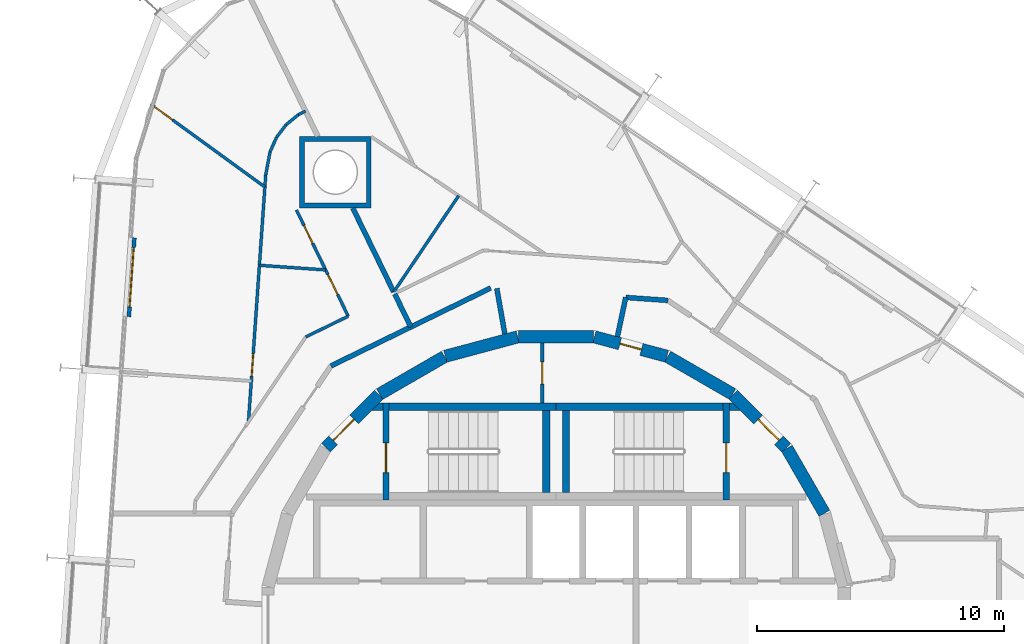
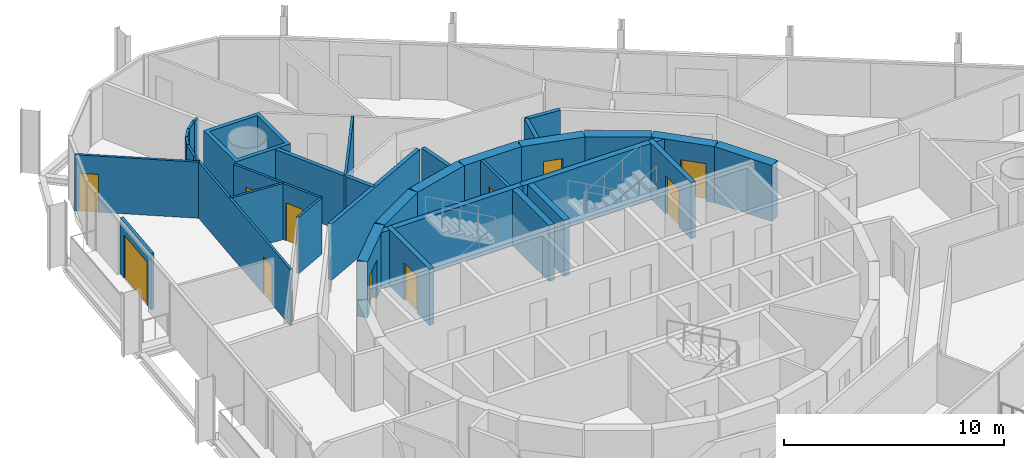
# One storey, part 15 of 17: 36 walls, 11 doors, 11 openings.
"""IFC4 building model written with IfcOpenShell, lengths in metres."""

from ifc_helpers import new_model, si_unit, direction, frame, frame_2d, origin, place, context, subcontext, project, spatial, polyline, rectangle, outline, extrude, material, layer, layer_set, type_object, element, fill, save


model = new_model("IFC4")

# Units and contexts
model_context = context("Model", 3, precision=1e-05, world=origin(), true_north=direction((0.0, 1.0)))
body_context = subcontext(model_context, "Body", "Model", "MODEL_VIEW")
ifc_project = project(units=[si_unit("LENGTHUNIT", "METRE"), si_unit("AREAUNIT", "SQUARE_METRE"), si_unit("VOLUMEUNIT", "CUBIC_METRE"), si_unit("PLANEANGLEUNIT", "RADIAN"), si_unit("MASSUNIT", "GRAM", prefix="KILO")], contexts=[model_context])

# Site, building, storey
site_placement = place(None, origin())
site = spatial("IfcSite", under=ifc_project, at=site_placement, CompositionType="ELEMENT")
building_placement = place(site_placement, origin())
building = spatial("IfcBuilding", under=site, at=building_placement, Name="Spindle Arch Residences", CompositionType="ELEMENT")
storey_placement = place(building_placement, frame((0.0, 0.0, 209.39990234375)))
storey = spatial("IfcBuildingStorey", under=building, at=storey_placement, Name="L53", CompositionType="ELEMENT", Elevation=209.39990234375)

# Wall
ifc_material_1 = material(Name="Concrete C50/60", Category="concrete")
ifc_layer_1 = layer(ifc_material_1, 0.5)
ifc_layer_set_1 = layer_set([ifc_layer_1], Name="Core outline wall 500")
wall_type_1 = type_object("IfcWallType", Name="Core outline wall 500", PredefinedType="SHEAR", material=ifc_layer_set_1)
wall_1_placement = place(storey_placement, frame((10.84521484375, 4.510498046875, 0.0), z_axis=(0.0, 0.0, 1.0), x_axis=(-0.500087131594, 0.865975092491, 0.0)))
element("IfcWall", 1, at=wall_1_placement, inside=storey, type_object=wall_type_1, Name="Core outline wall 8", PredefinedType="SHEAR", context=body_context, shape_type="SweptSolid", body=[
    extrude(rectangle(XDim=3.03271484375, YDim=0.5, at=frame_2d((1.516357421875, 0.0))), origin(), (0.0, 0.0, 1.0), 3.1201171875),
])

# Wall, opening, door
wall_2_placement = place(storey_placement, frame((9.30810546875, 7.163818359375, 0.0), z_axis=(0.0, 0.0, 1.0), x_axis=(-0.707106781187, 0.707106781187, 0.0)))
wall_2 = element("IfcWall", 2, at=wall_2_placement, inside=storey, type_object=wall_type_1, Name="Core outline wall 9", PredefinedType="SHEAR", context=body_context, shape_type="SweptSolid", body=[
    extrude(rectangle(XDim=3.032470703125, YDim=0.5, at=frame_2d((1.51611328125, 0.0))), origin(), (0.0, 0.0, 1.0), 3.1201171875),
])
opening_1_placement = place(wall_2_placement, frame((0.416259765625, 0.0, 0.0)))
opening_1 = element("IfcOpeningElement", 3, at=opening_1_placement, cuts=wall_2, Name="Opening R5C0-AD01", PredefinedType="OPENING", context=body_context, shape_type="SweptSolid", body=[
    extrude(rectangle(XDim=1.199951171875, YDim=2.10009765625, at=frame_2d((0.60009765625, 1.050048828125))), frame((0.0, 0.260009765625, 0.0), z_axis=(0.0, -1.0, 0.0), x_axis=(1.0, 0.0, 0.0)), (0.0, 0.0, 1.0), 0.52001953125),
])
ifc_material_2 = material(Name="Steel, fire-resisting door", Category="steel")
door_type_1 = type_object("IfcDoorType", Name="Stair airlock door 1200x2100", OperationType="SINGLE_SWING_LEFT", PredefinedType="DOOR", material=ifc_material_2)
door_1_placement = place(opening_1_placement, origin())
door_1 = element("IfcDoor", 4, at=door_1_placement, inside=storey, type_object=door_type_1, Name="Stair airlock door R5C0-AD01", OperationType="SINGLE_SWING_RIGHT", OverallHeight=2.10009765625, OverallWidth=1.199951171875, PredefinedType="DOOR", context=body_context, shape_type="SweptSolid", body=[
    extrude(rectangle(XDim=1.199951171875, YDim=2.10009765625, at=frame_2d((0.60009765625, 1.050048828125))), frame((0.0, 0.02490234375, 0.0), z_axis=(0.0, -1.0, 0.0), x_axis=(1.0, 0.0, 0.0)), (0.0, 0.0, 1.0), 0.050048828125),
])
fill(opening_1, door_1)

# Wall
wall_3_placement = place(storey_placement, frame((7.13671875, 9.32861328125, 0.0), z_axis=(0.0, 0.0, 1.0), x_axis=(-0.865975092491, 0.500087131594, 0.0)))
element("IfcWall", 5, at=wall_3_placement, inside=storey, type_object=wall_type_1, Name="Core outline wall 10", PredefinedType="SHEAR", context=body_context, shape_type="SweptSolid", body=[
    extrude(rectangle(XDim=3.03271484375, YDim=0.5, at=frame_2d((1.516357421875, 0.0))), origin(), (0.0, 0.0, 1.0), 3.1201171875),
])

# Wall, opening, door
wall_4_placement = place(storey_placement, frame((4.479248046875, 10.858154296875, 0.0), z_axis=(0.0, 0.0, 1.0), x_axis=(-0.965948410781, 0.258734743916, 0.0)))
wall_4 = element("IfcWall", 6, at=wall_4_placement, inside=storey, type_object=wall_type_1, Name="Core outline wall 11", PredefinedType="SHEAR", context=body_context, shape_type="SweptSolid", body=[
    extrude(rectangle(XDim=3.03271484375, YDim=0.5, at=frame_2d((1.516357421875, 0.0))), origin(), (0.0, 0.0, 1.0), 3.1201171875),
])
opening_2_placement = place(wall_4_placement, frame((1.066162109375, 0.0, 0.0)))
opening_2 = element("IfcOpeningElement", 7, at=opening_2_placement, cuts=wall_4, Name="Opening R5C0-WD10", PredefinedType="OPENING", context=body_context, shape_type="SweptSolid", body=[
    extrude(rectangle(XDim=0.89990234375, YDim=2.10009765625, at=frame_2d((0.449951171875, 1.050048828125))), frame((0.0, 0.260009765625, 0.0), z_axis=(0.0, -1.0, 0.0), x_axis=(1.0, 0.0, 0.0)), (0.0, 0.0, 1.0), 0.52001953125),
])
ifc_material_3 = material(Name="Steel, fire-resisting door", Category="steel")
door_type_2 = type_object("IfcDoorType", Name="Service room door 900x2100", OperationType="SINGLE_SWING_LEFT", PredefinedType="DOOR", material=ifc_material_3)
door_2_placement = place(opening_2_placement, origin())
door_2 = element("IfcDoor", 8, at=door_2_placement, inside=storey, type_object=door_type_2, Name="Service room door R5C0-WD10", OperationType="SINGLE_SWING_RIGHT", OverallHeight=2.10009765625, OverallWidth=0.89990234375, PredefinedType="DOOR", context=body_context, shape_type="SweptSolid", body=[
    extrude(rectangle(XDim=0.89990234375, YDim=2.10009765625, at=frame_2d((0.449951171875, 1.050048828125))), frame((0.0, 0.02490234375, 0.0), z_axis=(0.0, -1.0, 0.0), x_axis=(1.0, 0.0, 0.0)), (0.0, 0.0, 1.0), 0.050048828125),
])
fill(opening_2, door_2)

# Walls
for number, where, z_axis, x_axis, name in (
    (9, (1.516357421875, 11.647216796875, 0.0), (0.0, 0.0, 1.0), (-1.0, 0.0, 0.0), "Core outline wall 12"),
    (10, (-1.5498046875, 11.642822265625, 0.0), (0.0, 0.0, 1.0), (-0.965948410781, -0.258734743916, 0.0), "Core outline wall 13"),
    (11, (-4.510498046875, 10.84521484375, 0.0), (0.0, 0.0, 1.0), (-0.865975092491, -0.500087131594, 0.0), "Core outline wall 14"),
):
    element("IfcWall", number, at=place(storey_placement, frame(where, z_axis=z_axis, x_axis=x_axis)), inside=storey, type_object=wall_type_1, Name=name, PredefinedType="SHEAR", context=body_context, shape_type="SweptSolid", body=[
        extrude(rectangle(XDim=3.03271484375, YDim=0.5, at=frame_2d((1.516357421875, 0.0))), origin(), (0.0, 0.0, 1.0), 3.1201171875),
    ])

# Wall, opening, door
wall_5_placement = place(storey_placement, frame((-7.163818359375, 9.30810546875, 0.0), z_axis=(0.0, 0.0, 1.0), x_axis=(-0.707106781187, -0.707106781187, 0.0)))
wall_5 = element("IfcWall", 12, at=wall_5_placement, inside=storey, type_object=wall_type_1, Name="Core outline wall 15", PredefinedType="SHEAR", context=body_context, shape_type="SweptSolid", body=[
    extrude(rectangle(XDim=3.032470703125, YDim=0.5, at=frame_2d((1.51611328125, 0.0))), origin(), (0.0, 0.0, 1.0), 3.1201171875),
])
opening_3_placement = place(wall_5_placement, frame((1.416259765625, 0.0, 0.0)))
opening_3 = element("IfcOpeningElement", 13, at=opening_3_placement, cuts=wall_5, Name="Opening R5C0-AD02", PredefinedType="OPENING", context=body_context, shape_type="SweptSolid", body=[
    extrude(rectangle(XDim=1.199951171875, YDim=2.10009765625, at=frame_2d((0.60009765625, 1.050048828125))), frame((0.0, 0.260009765625, 0.0), z_axis=(0.0, -1.0, 0.0), x_axis=(1.0, 0.0, 0.0)), (0.0, 0.0, 1.0), 0.52001953125),
])
door_3_placement = place(opening_3_placement, origin())
door_3 = element("IfcDoor", 14, at=door_3_placement, inside=storey, type_object=door_type_1, Name="Stair airlock door R5C0-AD02", OperationType="SINGLE_SWING_RIGHT", OverallHeight=2.10009765625, OverallWidth=1.199951171875, PredefinedType="DOOR", context=body_context, shape_type="SweptSolid", body=[
    extrude(rectangle(XDim=1.199951171875, YDim=2.10009765625, at=frame_2d((0.60009765625, 1.050048828125))), frame((0.0, 0.02490234375, 0.0), z_axis=(0.0, -1.0, 0.0), x_axis=(1.0, 0.0, 0.0)), (0.0, 0.0, 1.0), 0.050048828125),
])
fill(opening_3, door_3)

# Walls
ifc_material_4 = material(Name="Calcium silicate block, plastered")
ifc_layer_2 = layer(ifc_material_4, 0.199951171875)
ifc_layer_set_2 = layer_set([ifc_layer_2], Name="Corridor wall 200")
wall_type_2 = type_object("IfcWallType", Name="Corridor wall 200", PredefinedType="STANDARD", material=ifc_layer_set_2)
wall_6_placement = place(storey_placement, frame((4.5166015625, 13.116943359375, 0.0), z_axis=(0.0, 0.0, 1.0), x_axis=(-0.997562153664, 0.069783591025, 0.0)))
element("IfcWall", 15, at=wall_6_placement, inside=storey, type_object=wall_type_2, Name="Corridor wall R5C0-W006", PredefinedType="STANDARD", context=body_context, shape_type="SweptSolid", body=[
    extrude(rectangle(XDim=1.707275390625, YDim=0.199951171875, at=frame_2d((0.853515625, 0.0))), origin(), (0.0, 0.0, 1.0), 3.1201171875),
])
wall_7_placement = place(storey_placement, frame((2.8134765625, 13.236083984375, 0.0), z_axis=(0.0, 0.0, 1.0), x_axis=(-0.207911086063, -0.978147729278, 0.0)))
element("IfcWall", 16, at=wall_7_placement, inside=storey, type_object=wall_type_2, Name="Corridor wall R5C0-W007", PredefinedType="STANDARD", context=body_context, shape_type="SweptSolid", body=[
    extrude(rectangle(XDim=1.6181640625, YDim=0.199951171875, at=frame_2d((0.80908203125, 0.0))), origin(), (0.0, 0.0, 1.0), 3.1201171875),
])
wall_8_placement = place(storey_placement, frame((-2.07373046875, 11.76123046875, 0.0), z_axis=(0.0, 0.0, 1.0), x_axis=(-0.173740587112, 0.984791454263, 0.0)))
element("IfcWall", 17, at=wall_8_placement, inside=storey, type_object=wall_type_2, Name="Corridor wall R5C0-W010", PredefinedType="STANDARD", context=body_context, shape_type="SweptSolid", body=[
    extrude(rectangle(XDim=1.867431640625, YDim=0.199951171875, at=frame_2d((0.93359375, 0.0))), origin(), (0.0, 0.0, 1.0), 3.1201171875),
])
wall_9_placement = place(storey_placement, frame((-2.64697265625, 13.617919921875, 0.0), z_axis=(0.0, 0.0, 1.0), x_axis=(-0.898796543751, -0.438366026218, 0.0)))
element("IfcWall", 18, at=wall_9_placement, inside=storey, type_object=wall_type_2, Name="Corridor wall R5C0-W011", PredefinedType="STANDARD", context=body_context, shape_type="SweptSolid", body=[
    extrude(rectangle(XDim=7.18115234375, YDim=0.199951171875, at=frame_2d((3.590576171875, 0.0))), origin(), (0.0, 0.0, 1.0), 3.1201171875),
])
ifc_material_5 = material(Name="Plasterboard on steel studs", Category="steel")
ifc_layer_3 = layer(ifc_material_5, 0.1201171875)
ifc_layer_set_3 = layer_set([ifc_layer_3], Name="Flat partition 120")
wall_type_3 = type_object("IfcWallType", Name="Flat partition 120", PredefinedType="PARTITIONING", material=ifc_layer_set_3)
wall_10_placement = place(storey_placement, frame((-3.939453125, 17.349853515625, 0.0), z_axis=(0.0, 0.0, 1.0), x_axis=(-0.559193216274, -0.829037361566, 0.0)))
element("IfcWall", 19, at=wall_10_placement, inside=storey, type_object=wall_type_3, Name="Flat partition R5C0-W055", PredefinedType="PARTITIONING", context=body_context, shape_type="SweptSolid", body=[
    extrude(rectangle(XDim=4.69384765625, YDim=0.1201171875, at=frame_2d((2.346923828125, 0.0))), origin(), (0.0, 0.0, 1.0), 3.1201171875),
])

# Wall, openings, doors
wall_11_placement = place(storey_placement, frame((-10.5, 16.774658203125, 0.0), z_axis=(0.0, 0.0, 1.0), x_axis=(0.438345136783, -0.898806731761, 0.0)))
wall_11 = element("IfcWall", 20, at=wall_11_placement, inside=storey, type_object=wall_type_3, Name="Flat partition R5C0-W057", PredefinedType="PARTITIONING", context=body_context, shape_type="SweptSolid", body=[
    extrude(rectangle(XDim=4.77978515625, YDim=0.1201171875, at=frame_2d((2.389892578125, 0.0))), origin(), (0.0, 0.0, 1.0), 3.1201171875),
])
opening_4_placement = place(wall_11_placement, frame((0.699951171875, 0.0, 0.0)))
opening_4 = element("IfcOpeningElement", 21, at=opening_4_placement, cuts=wall_11, Name="Opening R5C0-BD03", PredefinedType="OPENING", context=body_context, shape_type="SweptSolid", body=[
    extrude(rectangle(XDim=0.800048828125, YDim=2.10009765625, at=frame_2d((0.39990234375, 1.050048828125))), frame((0.0, 0.070068359375, 0.0), z_axis=(0.0, -1.0, 0.0), x_axis=(1.0, 0.0, 0.0)), (0.0, 0.0, 1.0), 0.14013671875),
])
opening_5_placement = place(wall_11_placement, frame((2.898681640625, 0.0, 0.0)))
opening_5 = element("IfcOpeningElement", 22, at=opening_5_placement, cuts=wall_11, Name="Opening R5C0-ID10", PredefinedType="OPENING", context=body_context, shape_type="SweptSolid", body=[
    extrude(rectangle(XDim=0.89990234375, YDim=2.10009765625, at=frame_2d((0.449951171875, 1.050048828125))), frame((0.0, 0.070068359375, 0.0), z_axis=(0.0, -1.0, 0.0), x_axis=(1.0, 0.0, 0.0)), (0.0, 0.0, 1.0), 0.14013671875),
])
ifc_material_6 = material(Name="Timber door set", Category="wood")
door_type_3 = type_object("IfcDoorType", Name="Bathroom door 800x2100", OperationType="NOTDEFINED", PredefinedType="DOOR", material=ifc_material_6)
door_4_placement = place(opening_4_placement, origin())
door_4 = element("IfcDoor", 23, at=door_4_placement, inside=storey, type_object=door_type_3, Name="Bathroom door R5C0-BD03", OperationType="SINGLE_SWING_LEFT", OverallHeight=2.10009765625, OverallWidth=0.800048828125, PredefinedType="DOOR", context=body_context, shape_type="SweptSolid", body=[
    extrude(rectangle(XDim=0.800048828125, YDim=2.10009765625, at=frame_2d((0.39990234375, 1.050048828125))), frame((0.0, 0.02490234375, 0.0), z_axis=(0.0, -1.0, 0.0), x_axis=(1.0, 0.0, 0.0)), (0.0, 0.0, 1.0), 0.050048828125),
])
fill(opening_4, door_4)
ifc_material_7 = material(Name="Timber door set", Category="wood")
door_type_4 = type_object("IfcDoorType", Name="Room door 900x2100", OperationType="NOTDEFINED", PredefinedType="DOOR", material=ifc_material_7)
door_5_placement = place(opening_5_placement, origin())
door_5 = element("IfcDoor", 24, at=door_5_placement, inside=storey, type_object=door_type_4, Name="Room door R5C0-ID10", OperationType="SINGLE_SWING_LEFT", OverallHeight=2.10009765625, OverallWidth=0.89990234375, PredefinedType="DOOR", context=body_context, shape_type="SweptSolid", body=[
    extrude(rectangle(XDim=0.89990234375, YDim=2.10009765625, at=frame_2d((0.449951171875, 1.050048828125))), frame((0.0, 0.02490234375, 0.0), z_axis=(0.0, -1.0, 0.0), x_axis=(1.0, 0.0, 0.0)), (0.0, 0.0, 1.0), 0.050048828125),
])
fill(opening_5, door_5)

# Wall
wall_12_placement = place(storey_placement, frame((-8.40478515625, 12.478515625, 0.0), z_axis=(0.0, 0.0, 1.0), x_axis=(-0.898784427692, -0.438390867307, 0.0)))
element("IfcWall", 25, at=wall_12_placement, inside=storey, type_object=wall_type_3, Name="Flat partition R5C0-W058", PredefinedType="PARTITIONING", context=body_context, shape_type="SweptSolid", body=[
    extrude(rectangle(XDim=1.908447265625, YDim=0.1201171875, at=frame_2d((0.9541015625, 0.0))), origin(), (0.0, 0.0, 1.0), 3.1201171875),
])

# Wall, opening, door
wall_13_placement = place(storey_placement, frame((-12.438720703125, 8.204345703125, 0.0), z_axis=(0.0, 0.0, 1.0), x_axis=(0.069750037523, 0.997564500303, 0.0)))
wall_13 = element("IfcWall", 26, at=wall_13_placement, inside=storey, type_object=wall_type_3, Name="Flat partition R5C0-W061", PredefinedType="PARTITIONING", context=body_context, shape_type="SweptSolid", body=[
    extrude(rectangle(XDim=10.01416015625, YDim=0.1201171875, at=frame_2d((5.007080078125, 0.0))), origin(), (0.0, 0.0, 1.0), 3.1201171875),
])
opening_6_placement = place(wall_13_placement, frame((1.859130859375, 0.0, 0.0)))
opening_6 = element("IfcOpeningElement", 27, at=opening_6_placement, cuts=wall_13, Name="Opening R5C0-ID12", PredefinedType="OPENING", context=body_context, shape_type="SweptSolid", body=[
    extrude(rectangle(XDim=0.89990234375, YDim=2.10009765625, at=frame_2d((0.449951171875, 1.050048828125))), frame((0.0, 0.070068359375, 0.0), z_axis=(0.0, -1.0, 0.0), x_axis=(1.0, 0.0, 0.0)), (0.0, 0.0, 1.0), 0.14013671875),
])
door_6_placement = place(opening_6_placement, origin())
door_6 = element("IfcDoor", 28, at=door_6_placement, inside=storey, type_object=door_type_4, Name="Room door R5C0-ID12", OperationType="SINGLE_SWING_LEFT", OverallHeight=2.10009765625, OverallWidth=0.89990234375, PredefinedType="DOOR", context=body_context, shape_type="SweptSolid", body=[
    extrude(rectangle(XDim=0.89990234375, YDim=2.10009765625, at=frame_2d((0.449951171875, 1.050048828125))), frame((0.0, 0.02490234375, 0.0), z_axis=(0.0, -1.0, 0.0), x_axis=(1.0, 0.0, 0.0)), (0.0, 0.0, 1.0), 0.050048828125),
])
fill(opening_6, door_6)

# Walls
wall_14_placement = place(storey_placement, frame((-11.740234375, 18.194091796875, 0.0), z_axis=(0.0, 0.0, 1.0), x_axis=(0.185144760846, 0.982711258474, 0.0)))
element("IfcWall", 29, at=wall_14_placement, inside=storey, type_object=wall_type_3, Name="Flat partition R5C0-W062", PredefinedType="PARTITIONING", context=body_context, shape_type="SweptSolid", body=[
    extrude(rectangle(XDim=0.94677734375, YDim=0.1201171875, at=frame_2d((0.473388671875, 0.0))), origin(), (0.0, 0.0, 1.0), 3.1201171875),
])
for number, where, z_axis, x_axis, name in (
    (30, (-11.56494140625, 19.12451171875, 0.0), (0.0, 0.0, 1.0), (0.406597190981, 0.913607532963, 0.0), "Flat partition R5C0-W063"),
    (31, (-11.303955078125, 19.7109375, 0.0), (0.0, 0.0, 1.0), (0.60667331935, 0.794951246045, 0.0), "Flat partition R5C0-W064"),
    (32, (-10.91455078125, 20.22119140625, 0.0), (0.0, 0.0, 1.0), (0.773278980213, 0.634065941965, 0.0), "Flat partition R5C0-W065"),
):
    element("IfcWall", number, at=place(storey_placement, frame(where, z_axis=z_axis, x_axis=x_axis)), inside=storey, type_object=wall_type_3, Name=name, PredefinedType="PARTITIONING", context=body_context, shape_type="SweptSolid", body=[
        extrude(rectangle(XDim=0.641845703125, YDim=0.1201171875, at=frame_2d((0.32080078125, 0.0))), origin(), (0.0, 0.0, 1.0), 3.1201171875),
    ])
wall_15_placement = place(storey_placement, frame((-10.418212890625, 20.628173828125, 0.0), z_axis=(0.0, 0.0, 1.0), x_axis=(0.898943795765, 0.438063981692, 0.0)))
element("IfcWall", 33, at=wall_15_placement, inside=storey, type_object=wall_type_3, Name="Flat partition R5C0-W066", PredefinedType="PARTITIONING", context=body_context, shape_type="SweptSolid", body=[
    extrude(rectangle(XDim=0.321044921875, YDim=0.1201171875, at=frame_2d((0.16064453125, 0.0))), origin(), (0.0, 0.0, 1.0), 3.1201171875),
])

# Wall, opening, door
wall_16_placement = place(storey_placement, frame((-16.39501953125, 21.060791015625, 0.0), z_axis=(0.0, 0.0, 1.0), x_axis=(0.808810002497, -0.58807004673, 0.0)))
wall_16 = element("IfcWall", 34, at=wall_16_placement, inside=storey, type_object=wall_type_3, Name="Flat partition R5C0-W067", PredefinedType="PARTITIONING", context=body_context, shape_type="SweptSolid", body=[
    extrude(rectangle(XDim=5.712646484375, YDim=0.1201171875, at=frame_2d((2.8564453125, 0.0))), origin(), (0.0, 0.0, 1.0), 3.1201171875),
])
opening_7_placement = place(wall_16_placement, frame((0.199951171875, 0.0, 0.0)))
opening_7 = element("IfcOpeningElement", 35, at=opening_7_placement, cuts=wall_16, Name="Opening R5C0-ID13", PredefinedType="OPENING", context=body_context, shape_type="SweptSolid", body=[
    extrude(rectangle(XDim=0.89990234375, YDim=2.10009765625, at=frame_2d((0.449951171875, 1.050048828125))), frame((0.0, 0.070068359375, 0.0), z_axis=(0.0, -1.0, 0.0), x_axis=(1.0, 0.0, 0.0)), (0.0, 0.0, 1.0), 0.14013671875),
])
door_7_placement = place(opening_7_placement, origin())
door_7 = element("IfcDoor", 36, at=door_7_placement, inside=storey, type_object=door_type_4, Name="Room door R5C0-ID13", OperationType="SINGLE_SWING_LEFT", OverallHeight=2.10009765625, OverallWidth=0.89990234375, PredefinedType="DOOR", context=body_context, shape_type="SweptSolid", body=[
    extrude(rectangle(XDim=0.89990234375, YDim=2.10009765625, at=frame_2d((0.449951171875, 1.050048828125))), frame((0.0, 0.02490234375, 0.0), z_axis=(0.0, -1.0, 0.0), x_axis=(1.0, 0.0, 0.0)), (0.0, 0.0, 1.0), 0.050048828125),
])
fill(opening_7, door_7)

# Walls
wall_17_placement = place(storey_placement, frame((-11.99609375, 14.536376953125, 0.0), z_axis=(0.0, 0.0, 1.0), x_axis=(0.997565991425, -0.069728708231, 0.0)))
element("IfcWall", 37, at=wall_17_placement, inside=storey, type_object=wall_type_3, Name="Flat partition R5C0-W068", PredefinedType="PARTITIONING", context=body_context, shape_type="SweptSolid", body=[
    extrude(rectangle(XDim=2.685546875, YDim=0.1201171875, at=frame_2d((1.3427734375, 0.0))), origin(), (0.0, 0.0, 1.0), 3.1201171875),
])
ifc_material_8 = material(Name="Calcium silicate block, plastered")
ifc_layer_4 = layer(ifc_material_8, 0.199951171875)
ifc_layer_set_4 = layer_set([ifc_layer_4], Name="Flat party wall 200")
wall_type_4 = type_object("IfcWallType", Name="Flat party wall 200", PredefinedType="STANDARD", material=ifc_layer_set_4)
wall_18_placement = place(storey_placement, frame((-6.5224609375, 13.373046875, 0.0), z_axis=(0.0, 0.0, 1.0), x_axis=(0.438277270821, -0.8988398266, 0.0)))
element("IfcWall", 38, at=wall_18_placement, inside=storey, type_object=wall_type_4, Name="Flat party wall R5C0-W030", PredefinedType="STANDARD", context=body_context, shape_type="SweptSolid", body=[
    extrude(rectangle(XDim=1.47900390625, YDim=0.199951171875, at=frame_2d((0.739501953125, 0.0))), origin(), (0.0, 0.0, 1.0), 3.1201171875),
])
wall_19_placement = place(storey_placement, frame((-8.219482421875, 16.8505859375, 0.0), z_axis=(0.0, 0.0, 1.0), x_axis=(0.438291091101, -0.898833087654, 0.0)))
element("IfcWall", 39, at=wall_19_placement, inside=storey, type_object=wall_type_4, Name="Flat party wall R5C0-W031", PredefinedType="STANDARD", context=body_context, shape_type="SweptSolid", body=[
    extrude(rectangle(XDim=3.7744140625, YDim=0.199951171875, at=frame_2d((1.88720703125, 0.0))), origin(), (0.0, 0.0, 1.0), 3.1201171875),
])

# Wall, opening, door
ifc_material_9 = material(Name="Non-combustible mineral wool insulated aluminium faced external wall (K0)", Category="aluminium")
ifc_layer_5 = layer(ifc_material_9, 0.159912109375)
ifc_layer_set_5 = layer_set([ifc_layer_5], Name="Insulated external wall panel 160")
wall_type_5 = type_object("IfcWallType", Name="Insulated external wall panel 160", PredefinedType="STANDARD", material=ifc_layer_set_5)
wall_20_placement = place(storey_placement, frame((-17.050537109375, 15.650390625, 0.0), z_axis=(0.0, 0.0, 1.0), x_axis=(-0.069734222855, -0.997565605944, 0.0)))
wall_20 = element("IfcWall", 40, at=wall_20_placement, inside=storey, type_object=wall_type_5, Name="External wall L53 bay 13", PredefinedType="STANDARD", context=body_context, shape_type="SweptSolid", body=[
    extrude(rectangle(XDim=3.199951171875, YDim=0.159912109375, at=frame_2d((1.60009765625, 0.0))), origin(), (0.0, 0.0, 1.0), 3.1201171875),
])
opening_8_placement = place(wall_20_placement, frame((0.39990234375, 0.0, 0.0)))
opening_8 = element("IfcOpeningElement", 41, at=opening_8_placement, cuts=wall_20, Name="Opening BD13", PredefinedType="OPENING", context=body_context, shape_type="SweptSolid", body=[
    extrude(rectangle(XDim=2.39990234375, YDim=2.39990234375, at=frame_2d((1.199951171875, 1.199951171875))), frame((0.0, 0.08984375, 0.0), z_axis=(0.0, -1.0, 0.0), x_axis=(1.0, 0.0, 0.0)), (0.0, 0.0, 1.0), 0.179931640625),
])
ifc_material_10 = material(Name="Bronze aluminium frame, tinted double glazing", Category="aluminium")
door_type_5 = type_object("IfcDoorType", Name="Sliding glazed balcony door 2400x2400", OperationType="DOUBLE_DOOR_SLIDING", PredefinedType="DOOR", material=ifc_material_10)
door_8_placement = place(opening_8_placement, origin())
door_8 = element("IfcDoor", 42, at=door_8_placement, inside=storey, type_object=door_type_5, Name="Balcony door BD13", OperationType="DOUBLE_DOOR_SLIDING", OverallHeight=2.39990234375, OverallWidth=2.39990234375, PredefinedType="DOOR", context=body_context, shape_type="SweptSolid", body=[
    extrude(rectangle(XDim=2.39990234375, YDim=2.39990234375, at=frame_2d((1.199951171875, 1.199951171875))), frame((0.0, 0.02490234375, 0.0), z_axis=(0.0, -1.0, 0.0), x_axis=(1.0, 0.0, 0.0)), (0.0, 0.0, 1.0), 0.050048828125),
])
fill(opening_8, door_8)

# Wall
ifc_material_11 = material(Name="Calcium silicate block, plastered")
ifc_layer_6 = layer(ifc_material_11, 0.199951171875)
ifc_layer_set_6 = layer_set([ifc_layer_6], Name="Mega-column casing wall 200")
wall_type_6 = type_object("IfcWallType", Name="Mega-column casing wall 200", PredefinedType="STANDARD", material=ifc_layer_set_6)
wall_21_placement = place(storey_placement, origin())
element("IfcWall", 43, at=wall_21_placement, inside=storey, type_object=wall_type_6, Name="Mega-column casing wall R5C0-WC01", PredefinedType="STANDARD", context=body_context, shape_type="SweptSolid", body=[
    extrude(outline(polyline([(-7.475830078125, 19.750732421875), (-7.475830078125, 16.850830078125), (-10.3759765625, 16.850830078125), (-10.3759765625, 19.750732421875), (-7.475830078125, 19.750732421875)]), holes=[polyline([(-10.17578125, 17.05078125), (-7.67578125, 17.05078125), (-7.67578125, 19.55078125), (-10.17578125, 19.55078125), (-10.17578125, 17.05078125)])]), origin(), (0.0, 0.0, 1.0), 3.1201171875),
])

# Wall, opening, door
ifc_material_12 = material(Name="Concrete C25/30", Category="concrete")
ifc_layer_7 = layer(ifc_material_12, 0.14990234375)
ifc_layer_set_7 = layer_set([ifc_layer_7], Name="Service room partition 150")
wall_type_7 = type_object("IfcWallType", Name="Service room partition 150", PredefinedType="PARTITIONING", material=ifc_layer_set_7)
wall_22_placement = place(storey_placement, frame((-0.5615234375, 8.969970703125, 0.0), z_axis=(0.0, 0.0, 1.0), x_axis=(0.0, 1.0, 0.0)))
wall_22 = element("IfcWall", 44, at=wall_22_placement, inside=storey, type_object=wall_type_7, Name="Core service room partition", PredefinedType="PARTITIONING", context=body_context, shape_type="SweptSolid", body=[
    extrude(rectangle(XDim=2.42724609375, YDim=0.14990234375, at=frame_2d((1.213623046875, 0.0))), origin(), (0.0, 0.0, 1.0), 3.1201171875),
])
opening_9_placement = place(wall_22_placement, frame((0.763671875, 0.0, 0.0)))
opening_9 = element("IfcOpeningElement", 45, at=opening_9_placement, cuts=wall_22, Name="Opening R5C0-WD05", PredefinedType="OPENING", context=body_context, shape_type="SweptSolid", body=[
    extrude(rectangle(XDim=0.89990234375, YDim=2.10009765625, at=frame_2d((0.449951171875, 1.050048828125))), frame((0.0, 0.0849609375, 0.0), z_axis=(0.0, -1.0, 0.0), x_axis=(1.0, 0.0, 0.0)), (0.0, 0.0, 1.0), 0.169921875),
])
door_9_placement = place(opening_9_placement, origin())
door_9 = element("IfcDoor", 46, at=door_9_placement, inside=storey, type_object=door_type_2, Name="Service room door R5C0-WD05", OperationType="SINGLE_SWING_LEFT", OverallHeight=2.10009765625, OverallWidth=0.89990234375, PredefinedType="DOOR", context=body_context, shape_type="SweptSolid", body=[
    extrude(rectangle(XDim=0.89990234375, YDim=2.10009765625, at=frame_2d((0.449951171875, 1.050048828125))), frame((0.0, 0.02490234375, 0.0), z_axis=(0.0, -1.0, 0.0), x_axis=(1.0, 0.0, 0.0)), (0.0, 0.0, 1.0), 0.050048828125),
])
fill(opening_9, door_9)

# Walls
ifc_material_13 = material(Name="Concrete C40/50", Category="concrete")
wall_type_8 = type_object("IfcWallType", Name="Stair airlock wall profile", PredefinedType="SHEAR", material=ifc_material_13)
wall_23_placement = place(storey_placement, origin())
element("IfcWall", 47, at=wall_23_placement, inside=storey, type_object=wall_type_8, Name="Stair ST-1 airlock wall N", PredefinedType="SHEAR", context=body_context, shape_type="SweptSolid", body=[
    extrude(outline(polyline([(7.4482421875, 8.669921875), (7.0, 8.669921875), (7.0, 8.969970703125), (7.148193359375, 8.969970703125), (7.4482421875, 8.669921875)])), origin(), (0.0, 0.0, 1.0), 3.1201171875),
])
wall_24_placement = place(storey_placement, origin())
element("IfcWall", 48, at=wall_24_placement, inside=storey, type_object=wall_type_8, Name="Stair ST-2 airlock wall N", PredefinedType="SHEAR", context=body_context, shape_type="SweptSolid", body=[
    extrude(outline(polyline([(-7.148193359375, 8.969970703125), (-7.0, 8.969970703125), (-7.0, 8.669921875), (-7.4482421875, 8.669921875), (-7.148193359375, 8.969970703125)])), origin(), (0.0, 0.0, 1.0), 3.1201171875),
])

# Wall, opening, door
ifc_material_14 = material(Name="Concrete C50/60", Category="concrete")
ifc_layer_8 = layer(ifc_material_14, 0.25)
ifc_layer_set_8 = layer_set([ifc_layer_8], Name="Stair enclosure wall 250")
wall_type_9 = type_object("IfcWallType", Name="Stair enclosure wall 250", PredefinedType="SHEAR", material=ifc_layer_set_8)
wall_25_placement = place(storey_placement, frame((6.875, 5.050048828125, 0.0), z_axis=(0.0, 0.0, 1.0), x_axis=(0.0, 1.0, 0.0)))
wall_25 = element("IfcWall", 49, at=wall_25_placement, inside=storey, type_object=wall_type_9, Name="Stair ST-1 door wall", PredefinedType="SHEAR", context=body_context, shape_type="SweptSolid", body=[
    extrude(rectangle(XDim=3.919921875, YDim=0.25, at=frame_2d((1.9599609375, 0.0))), origin(), (0.0, 0.0, 1.0), 3.1201171875),
])
opening_10_placement = place(wall_25_placement, frame((1.110107421875, 0.0, 0.0)))
opening_10 = element("IfcOpeningElement", 50, at=opening_10_placement, cuts=wall_25, Name="Opening R5C0-SD01", PredefinedType="OPENING", context=body_context, shape_type="SweptSolid", body=[
    extrude(rectangle(XDim=1.199951171875, YDim=2.10009765625, at=frame_2d((0.60009765625, 1.050048828125))), frame((0.0, 0.135009765625, 0.0), z_axis=(0.0, -1.0, 0.0), x_axis=(1.0, 0.0, 0.0)), (0.0, 0.0, 1.0), 0.27001953125),
])
ifc_material_15 = material(Name="Steel, fire-resisting door", Category="steel")
door_type_6 = type_object("IfcDoorType", Name="Stair door 1200x2100", OperationType="SINGLE_SWING_RIGHT", PredefinedType="DOOR", material=ifc_material_15)
door_10_placement = place(opening_10_placement, origin())
door_10 = element("IfcDoor", 51, at=door_10_placement, inside=storey, type_object=door_type_6, Name="Stair door R5C0-SD01", OperationType="SINGLE_SWING_LEFT", OverallHeight=2.10009765625, OverallWidth=1.199951171875, PredefinedType="DOOR", context=body_context, shape_type="SweptSolid", body=[
    extrude(rectangle(XDim=1.199951171875, YDim=2.10009765625, at=frame_2d((0.60009765625, 1.050048828125))), frame((0.0, 0.02490234375, 0.0), z_axis=(0.0, -1.0, 0.0), x_axis=(1.0, 0.0, 0.0)), (0.0, 0.0, 1.0), 0.050048828125),
])
fill(opening_10, door_10)

wall_26_placement = place(storey_placement, frame((-6.875, 8.969970703125, 0.0), z_axis=(0.0, 0.0, 1.0), x_axis=(0.0, -1.0, 0.0)))
wall_26 = element("IfcWall", 52, at=wall_26_placement, inside=storey, type_object=wall_type_9, Name="Stair ST-2 door wall", PredefinedType="SHEAR", context=body_context, shape_type="SweptSolid", body=[
    extrude(rectangle(XDim=3.919921875, YDim=0.25, at=frame_2d((1.9599609375, 0.0))), origin(), (0.0, 0.0, 1.0), 3.1201171875),
])
opening_11_placement = place(wall_26_placement, frame((1.610107421875, 0.0, 0.0)))
opening_11 = element("IfcOpeningElement", 53, at=opening_11_placement, cuts=wall_26, Name="Opening R5C0-SD02", PredefinedType="OPENING", context=body_context, shape_type="SweptSolid", body=[
    extrude(rectangle(XDim=1.199951171875, YDim=2.10009765625, at=frame_2d((0.60009765625, 1.050048828125))), frame((0.0, 0.135009765625, 0.0), z_axis=(0.0, -1.0, 0.0), x_axis=(1.0, 0.0, 0.0)), (0.0, 0.0, 1.0), 0.27001953125),
])
door_11_placement = place(opening_11_placement, origin())
door_11 = element("IfcDoor", 54, at=door_11_placement, inside=storey, type_object=door_type_6, Name="Stair door R5C0-SD02", OperationType="SINGLE_SWING_LEFT", OverallHeight=2.10009765625, OverallWidth=1.199951171875, PredefinedType="DOOR", context=body_context, shape_type="SweptSolid", body=[
    extrude(rectangle(XDim=1.199951171875, YDim=2.10009765625, at=frame_2d((0.60009765625, 1.050048828125))), frame((0.0, 0.02490234375, 0.0), z_axis=(0.0, -1.0, 0.0), x_axis=(1.0, 0.0, 0.0)), (0.0, 0.0, 1.0), 0.050048828125),
])
fill(opening_11, door_11)

# Walls
ifc_material_16 = material(Name="Concrete C50/60", Category="concrete")
ifc_layer_9 = layer(ifc_material_16, 0.300048828125)
ifc_layer_set_9 = layer_set([ifc_layer_9], Name="Stair enclosure wall 300")
wall_type_10 = type_object("IfcWallType", Name="Stair enclosure wall 300", PredefinedType="SHEAR", material=ifc_layer_set_9)
wall_27_placement = place(storey_placement, frame((0.0, 8.820068359375, 0.0), z_axis=(0.0, 0.0, 1.0), x_axis=(1.0, 0.0, 0.0)))
element("IfcWall", 55, at=wall_27_placement, inside=storey, type_object=wall_type_10, Name="Stair ST-1 enclosure wall N", PredefinedType="SHEAR", context=body_context, shape_type="SweptSolid", body=[
    extrude(rectangle(XDim=6.75, YDim=0.300048828125, at=frame_2d((3.375, 0.0))), origin(), (0.0, 0.0, 1.0), 3.1201171875),
])
wall_28_placement = place(storey_placement, frame((0.39990234375, 5.35009765625, 0.0), z_axis=(0.0, 0.0, 1.0), x_axis=(0.0, 1.0, 0.0)))
element("IfcWall", 56, at=wall_28_placement, inside=storey, type_object=wall_type_10, Name="Stair ST-1 enclosure wall F", PredefinedType="SHEAR", context=body_context, shape_type="SweptSolid", body=[
    extrude(rectangle(XDim=3.31982421875, YDim=0.300048828125, at=frame_2d((1.659912109375, 0.0))), origin(), (0.0, 0.0, 1.0), 3.1201171875),
])
wall_29_placement = place(storey_placement, frame((-6.75, 8.820068359375, 0.0), z_axis=(0.0, 0.0, 1.0), x_axis=(1.0, 0.0, 0.0)))
element("IfcWall", 57, at=wall_29_placement, inside=storey, type_object=wall_type_10, Name="Stair ST-2 enclosure wall N", PredefinedType="SHEAR", context=body_context, shape_type="SweptSolid", body=[
    extrude(rectangle(XDim=6.75, YDim=0.300048828125, at=frame_2d((3.375, 0.0))), origin(), (0.0, 0.0, 1.0), 3.1201171875),
])
wall_30_placement = place(storey_placement, frame((-0.39990234375, 5.35009765625, 0.0), z_axis=(0.0, 0.0, 1.0), x_axis=(0.0, 1.0, 0.0)))
element("IfcWall", 58, at=wall_30_placement, inside=storey, type_object=wall_type_10, Name="Stair ST-2 enclosure wall F", PredefinedType="SHEAR", context=body_context, shape_type="SweptSolid", body=[
    extrude(rectangle(XDim=3.31982421875, YDim=0.300048828125, at=frame_2d((1.659912109375, 0.0))), origin(), (0.0, 0.0, 1.0), 3.1201171875),
])

save(model, "model.ifc")
